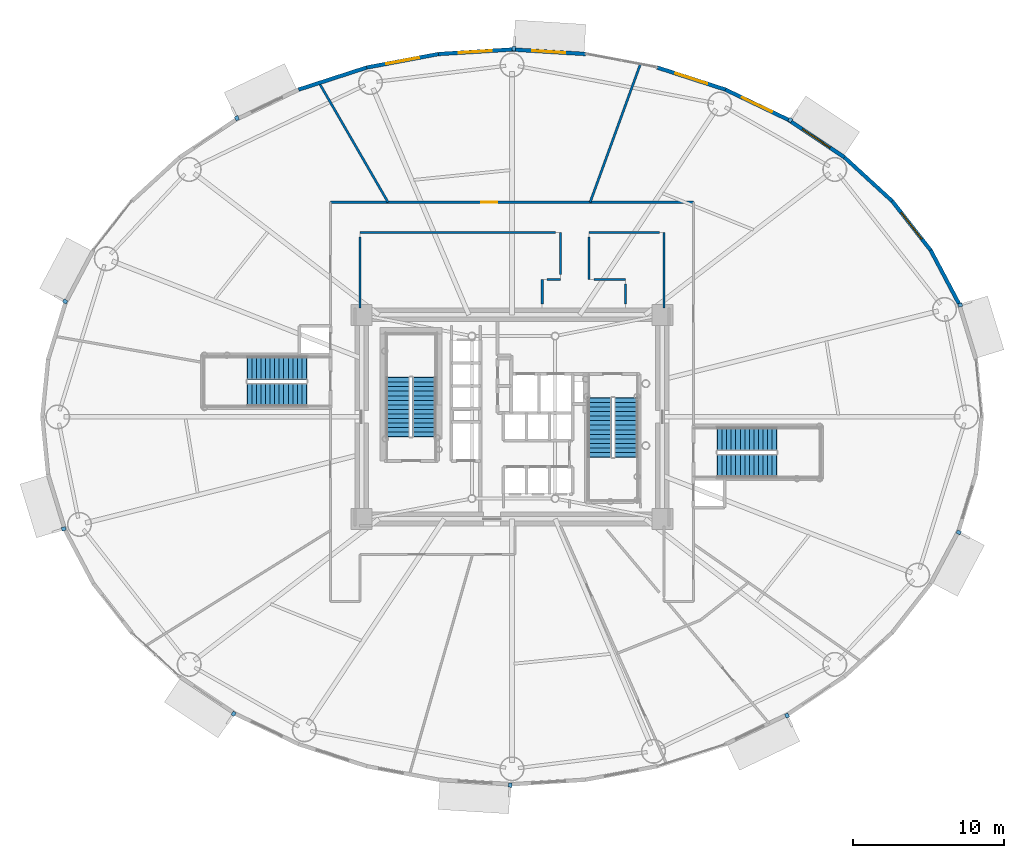
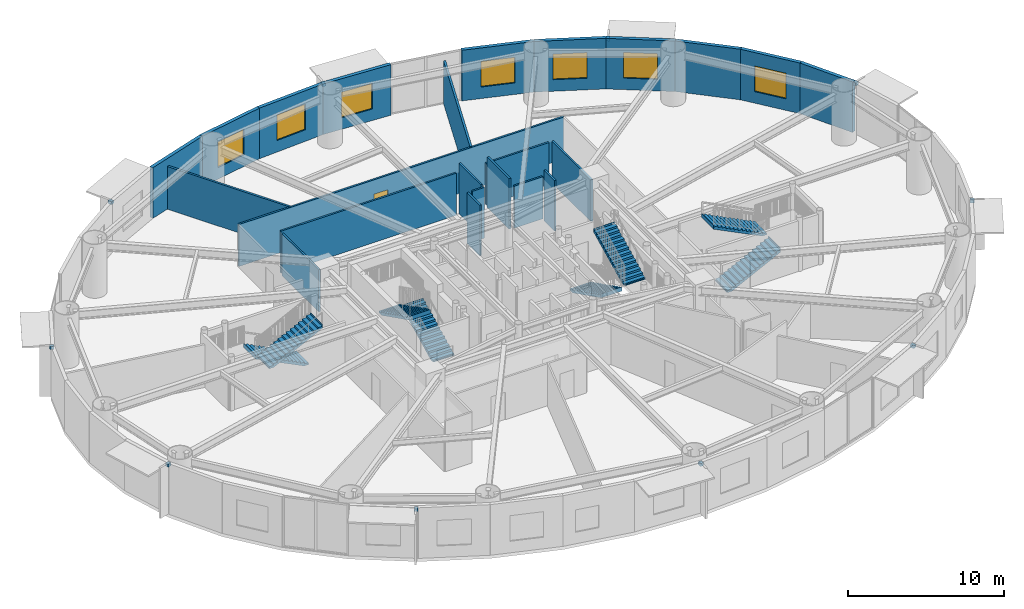
# One storey, part 16 of 28: 23 walls, 10 discrete accessories, 8 stair flights, 7 windows, 1 door, 8 openings, 4 elements without a shape of their own.
"""IFC4 building model written with IfcOpenShell, lengths in metres."""

import ifcopenshell
import ifcopenshell.guid

model = None  # the IFC model being written
_history = None  # IfcOwnerHistory: only IFC2X3 demands one
_inside = {}  # id of a spatial element -> (the spatial element, [elements in it])
_under = {}  # id of a project, library or spatial element -> (it, [spatial elements below it])
_declared = {}  # id of a project -> (the project, [libraries it declares])
_typed = {}  # id of a type object -> (the type object, [elements of that type])
_made_of = {}  # id of a material, layer set ... -> (it, [elements and type objects made of it])


def new_model(schema):
    """Start an empty IFC model of exactly this schema.

    Asked for "IFC4X3", IfcOpenShell would pick the latest addendum, in which some entities
    have other attributes; the version numbers below select the first issue.
    IFC2X3 requires an IfcOwnerHistory on every rooted entity: one is made here for all.
    """
    global model, _history
    if schema == "IFC4X3":
        model = ifcopenshell.file(schema_version=(4, 3, 0, 0))
    else:
        model = ifcopenshell.file(schema=schema)
    _inside.clear()
    _under.clear()
    _declared.clear()
    _typed.clear()
    _made_of.clear()
    _history = None
    if model.schema == "IFC2X3":
        org = make("IfcOrganization", Name="unknown")
        user = make(
            "IfcPersonAndOrganization",
            ThePerson=make("IfcPerson", FamilyName="unknown"),
            TheOrganization=org,
        )
        app = make(
            "IfcApplication",
            ApplicationDeveloper=org,
            Version="unknown",
            ApplicationFullName="unknown",
            ApplicationIdentifier="unknown",
        )
        _history = make(
            "IfcOwnerHistory",
            OwningUser=user,
            OwningApplication=app,
            ChangeAction="ADDED",
            CreationDate=0,
        )
    return model


def make(cls, **values):
    """One entity of the class cls with the attributes given. An attribute that is None is left unset."""
    return model.create_entity(
        cls, **{name: value for name, value in values.items() if value is not None}
    )


def rooted(cls, **values):
    """An entity with a GlobalId (a new one), such as an element, a storey or a relation."""
    return make(cls, GlobalId=ifcopenshell.guid.new(), OwnerHistory=_history, **values)


def si_unit(unit_type, name, prefix=None):
    """IfcSIUnit, for example si_unit("LENGTHUNIT", "METRE", prefix="MILLI")."""
    return make("IfcSIUnit", UnitType=unit_type, Prefix=prefix, Name=name)


def assignment(units):
    """IfcUnitAssignment: the units of a project."""
    return None if units is None else make("IfcUnitAssignment", Units=units)


def point(xyz):
    """IfcCartesianPoint."""
    return None if xyz is None else make("IfcCartesianPoint", Coordinates=xyz)


def direction(xyz):
    """IfcDirection."""
    return None if xyz is None else make("IfcDirection", DirectionRatios=xyz)


def frame(location, z_axis=None, x_axis=None):
    """IfcAxis2Placement3D, a coordinate frame: its origin and axes. An axis left out is left unset."""
    return make(
        "IfcAxis2Placement3D",
        Location=point(location),
        Axis=direction(z_axis),
        RefDirection=direction(x_axis),
    )


def frame_2d(location, x_axis=None):
    """IfcAxis2Placement2D, a coordinate frame in the plane: its origin and x axis."""
    return make(
        "IfcAxis2Placement2D", Location=point(location), RefDirection=direction(x_axis)
    )


def origin():
    """The frame at (0, 0, 0) with its axes left unset."""
    return frame((0.0, 0.0, 0.0))


def origin_2d():
    """The frame at (0, 0) in the plane with its x axis left unset."""
    return frame_2d((0.0, 0.0))


def place(relative_to, where):
    """IfcLocalPlacement: puts the frame where relative to a parent placement (None: the world)."""
    return make(
        "IfcLocalPlacement", PlacementRelTo=relative_to, RelativePlacement=where
    )


def context(
    kind, dimensions, precision=None, world=None, true_north=None, identifier=None
):
    """IfcGeometricRepresentationContext, for example the 3D "Model" context."""
    return make(
        "IfcGeometricRepresentationContext",
        ContextIdentifier=identifier,
        ContextType=kind,
        CoordinateSpaceDimension=dimensions,
        Precision=precision,
        WorldCoordinateSystem=world,
        TrueNorth=true_north,
    )


def subcontext(parent, identifier, kind, view, scale=None):
    """IfcGeometricRepresentationSubContext, for example "Body" below "Model"."""
    return make(
        "IfcGeometricRepresentationSubContext",
        ContextIdentifier=identifier,
        ContextType=kind,
        ParentContext=parent,
        TargetScale=scale,
        TargetView=view,
    )


def project(units=None, contexts=None):
    """IfcProject with its units and contexts."""
    return rooted(
        "IfcProject",
        Name="project",
        RepresentationContexts=contexts,
        UnitsInContext=assignment(units),
    )


def spatial(cls, under=None, at=None, **own):
    """A site, building, storey or space (cls), placed at a placement, below another one or the project."""
    s = rooted(cls, ObjectPlacement=at, **own)
    if under is not None:
        _under.setdefault(under.id(), (under, []))[1].append(s)
    return s


def polyline(points):
    """IfcPolyline through the points."""
    return make("IfcPolyline", Points=[point(p) for p in points])


def profile(cls, at=None, kind="AREA", **sizes):
    """A parametric profile (cls). Its sizes go by their IFC names, for example OverallWidth=200.0."""
    return make(cls, ProfileType=kind, Position=at, **sizes)


def rectangle(**sizes):
    """IfcRectangleProfileDef."""
    return profile("IfcRectangleProfileDef", **sizes)


def outline(outer, holes=None, kind="AREA"):
    """IfcArbitraryClosedProfileDef: a profile drawn as a closed curve; with holes, ...WithVoids."""
    if holes is None:
        return make("IfcArbitraryClosedProfileDef", ProfileType=kind, OuterCurve=outer)
    return make(
        "IfcArbitraryProfileDefWithVoids",
        ProfileType=kind,
        OuterCurve=outer,
        InnerCurves=holes,
    )


def extrude(swept, where, along, depth):
    """IfcExtrudedAreaSolid: the profile swept, set in the frame where, extruded along a direction by depth."""
    return make(
        "IfcExtrudedAreaSolid",
        SweptArea=swept,
        Position=where,
        ExtrudedDirection=direction(along),
        Depth=depth,
    )


def shape(context_of_items, identifier, shape_type, items):
    """IfcShapeRepresentation: the items that make up one representation, for example the "Body"."""
    return make(
        "IfcShapeRepresentation",
        ContextOfItems=context_of_items,
        RepresentationIdentifier=identifier,
        RepresentationType=shape_type,
        Items=items,
    )


def source(mapping_origin, context_of_items, identifier, shape_type, items):
    """IfcRepresentationMap: a shape defined once, which mapped items show again and again."""
    return make(
        "IfcRepresentationMap",
        MappingOrigin=mapping_origin,
        MappedRepresentation=shape(context_of_items, identifier, shape_type, items),
    )


def transform(
    local_origin,
    x_axis=None,
    y_axis=None,
    z_axis=None,
    scale=None,
    scale2=None,
    scale3=None,
    uniform=True,
):
    """IfcCartesianTransformationOperator3D, or its non-uniform kind. x_axis, y_axis, z_axis: its Axis1, 2, 3."""
    if uniform:
        return make(
            "IfcCartesianTransformationOperator3D",
            Axis1=direction(x_axis),
            Axis2=direction(y_axis),
            LocalOrigin=point(local_origin),
            Scale=scale,
            Axis3=direction(z_axis),
        )
    return make(
        "IfcCartesianTransformationOperator3DnonUniform",
        Axis1=direction(x_axis),
        Axis2=direction(y_axis),
        LocalOrigin=point(local_origin),
        Scale=scale,
        Axis3=direction(z_axis),
        Scale2=scale2,
        Scale3=scale3,
    )


def mapped(mapping_source, mapping_target):
    """IfcMappedItem: shows the shape of a source again, moved by a transform."""
    return make(
        "IfcMappedItem", MappingSource=mapping_source, MappingTarget=mapping_target
    )


def material(Name=None, Category=None):
    """IfcMaterial."""
    return make("IfcMaterial", Name=Name, Category=Category)


def layer(
    of_material, thickness, ventilated=None, Name=None, Category=None, Priority=None
):
    """IfcMaterialLayer: one layer of a wall or slab, of a material (None: an air gap)."""
    return make(
        "IfcMaterialLayer",
        Material=of_material,
        LayerThickness=thickness,
        IsVentilated=ventilated,
        Name=Name,
        Category=Category,
        Priority=Priority,
    )


def layer_set(layers, Name=None):
    """IfcMaterialLayerSet."""
    return make("IfcMaterialLayerSet", MaterialLayers=layers, LayerSetName=Name)


def made_of(thing, what):
    """Note that an element or type object is made of a material, layer set ...; save() writes the relation."""
    if what is not None:
        _made_of.setdefault(what.id(), (what, []))[1].append(thing)
    return thing


def type_object(cls, material=None, **own):
    """A type object (cls), such as IfcWallType, which elements share."""
    return made_of(rooted(cls, **own), material)


def element(
    cls,
    number,
    at=None,
    inside=None,
    cuts=None,
    type_object=None,
    material=None,
    context=None,
    identifier="Body",
    shape_type=None,
    held_by="IfcProductDefinitionShape",
    body=None,
    shapes=None,
    **own,
):
    """One element of the class cls, such as IfcWall. Its Tag is "e" and its number.

    at: its placement. inside: the storey or other place that contains it. cuts: it is an
    opening in that element (IfcRelVoidsElement). A single representation is given by context,
    identifier, shape_type and body (its items); several are given by shapes. held_by: the class
    of the entity that holds the representations. save() writes the other relations.
    """
    e = rooted(cls, Tag="e%d" % number, ObjectPlacement=at, **own)
    if body is not None:
        shapes = [shape(context, identifier, shape_type, body)]
    if shapes is not None:
        e.Representation = make(held_by, Representations=shapes)
    if inside is not None:
        _inside.setdefault(inside.id(), (inside, []))[1].append(e)
    if cuts is not None:
        rooted(
            "IfcRelVoidsElement", RelatingBuildingElement=cuts, RelatedOpeningElement=e
        )
    if type_object is not None:
        _typed.setdefault(type_object.id(), (type_object, []))[1].append(e)
    return made_of(e, material)


def fill(opening, filler):
    """IfcRelFillsElement: the door or window that sits in an opening."""
    return rooted(
        "IfcRelFillsElement",
        RelatingOpeningElement=opening,
        RelatedBuildingElement=filler,
    )


def aggregate(whole, parts):
    """IfcRelAggregates: a whole, such as a stair, and the parts it consists of."""
    return rooted("IfcRelAggregates", RelatingObject=whole, RelatedObjects=parts)


def save(model, path):
    """Write the relations noted so far, then the file.

    IfcRelAggregates (storeys below a building ...), IfcRelContainedInSpatialStructure (elements
    in a storey), IfcRelDefinesByType, IfcRelAssociatesMaterial and IfcRelDeclares: one each for
    every whole, place, type object, material and project.
    """
    for whole, parts in _under.values():
        aggregate(whole, parts)
    for where, things in _inside.values():
        rooted(
            "IfcRelContainedInSpatialStructure",
            RelatedElements=things,
            RelatingStructure=where,
        )
    for kind, things in _typed.values():
        rooted("IfcRelDefinesByType", RelatedObjects=things, RelatingType=kind)
    for what, things in _made_of.values():
        rooted("IfcRelAssociatesMaterial", RelatedObjects=things, RelatingMaterial=what)
    for by, libraries in _declared.values():
        rooted("IfcRelDeclares", RelatingContext=by, RelatedDefinitions=libraries)
    model.write(path)


model = new_model("IFC4")

# Units and contexts
model_context = context("Model", 3, precision=1e-05, world=origin(), true_north=direction((0.0, 1.0)))
body_context = subcontext(model_context, "Body", "Model", "MODEL_VIEW")
ifc_project = project(units=[si_unit("LENGTHUNIT", "METRE"), si_unit("AREAUNIT", "SQUARE_METRE"), si_unit("VOLUMEUNIT", "CUBIC_METRE"), si_unit("PLANEANGLEUNIT", "RADIAN"), si_unit("MASSUNIT", "GRAM", prefix="KILO")], contexts=[model_context])

# Site, building, storey
site_placement = place(None, origin())
site = spatial("IfcSite", under=ifc_project, at=site_placement, CompositionType="ELEMENT")
building_placement = place(site_placement, origin())
building = spatial("IfcBuilding", under=site, at=building_placement, Name="Linh Dai School and Residence Tower", CompositionType="ELEMENT")
storey_placement = place(building_placement, frame((0.0, 0.0, 36.60009765625)))
storey = spatial("IfcBuildingStorey", under=building, at=storey_placement, Name="L08", CompositionType="ELEMENT", Elevation=36.60009765625)

# Wall
ifc_material_1 = material(Name="Precast Concrete B45 (C35/45)", Category="concrete")
ifc_layer_1 = layer(ifc_material_1, 0.25)
ifc_layer_set_1 = layer_set([ifc_layer_1], Name="Precast Concrete B45 (C35/45)")
wall_type_1 = type_object("IfcWallType", Name="EW-TC-250", PredefinedType="SOLIDWALL", material=ifc_layer_set_1)
wall_1_placement = place(storey_placement, frame((63.694580078125, 38.022705078125, 0.0), z_axis=(0.0, 0.0, 1.0), x_axis=(0.467662443071, -0.883907144072, 0.0)))
element("IfcWall", 1, at=wall_1_placement, inside=storey, type_object=wall_type_1, Name="L08 Terracotta Exterior Wall 03", PredefinedType="SOLIDWALL", context=body_context, shape_type="SweptSolid", body=[
    extrude(rectangle(XDim=3.983642578125, YDim=0.25, at=frame_2d((1.99169921875, 0.0))), origin(), (0.0, 0.0, 1.0), 3.949951171875),
])

# Wall, opening, window
wall_2_placement = place(storey_placement, frame((61.149658203125, 41.274658203125, 0.0), z_axis=(0.0, 0.0, 1.0), x_axis=(0.616295508253, -0.787514981767, 0.0)))
wall_2 = element("IfcWall", 2, at=wall_2_placement, inside=storey, type_object=wall_type_1, Name="L08 Terracotta Exterior Wall 04", PredefinedType="SOLIDWALL", context=body_context, shape_type="SweptSolid", body=[
    extrude(rectangle(XDim=4.12939453125, YDim=0.25, at=frame_2d((2.064697265625, 0.0))), origin(), (0.0, 0.0, 1.0), 3.949951171875),
])
opening_1_placement = place(wall_2_placement, frame((0.964599609375, 0.0, 0.89990234375)))
opening_1 = element("IfcOpeningElement", 3, at=opening_1_placement, cuts=wall_2, Name="Opening W4", PredefinedType="OPENING", context=body_context, shape_type="SweptSolid", body=[
    extrude(rectangle(XDim=2.199951171875, YDim=2.0, at=origin_2d()), frame((1.10009765625, 0.135009765625, 1.0), z_axis=(0.0, -1.0, 0.0), x_axis=(1.0, 0.0, 0.0)), (0.0, 0.0, 1.0), 0.27001953125),
])
ifc_material_2 = material(Name="Acoustic Laminated Low-E Glazing", Category="glass")
window_type = type_object("IfcWindowType", Name="WN-SCH-2200x2000", PartitioningType="TRIPLE_PANEL_VERTICAL", PredefinedType="WINDOW", material=ifc_material_2)
shared_shape_1 = source(origin(), body_context, "Body", "SweptSolid", [
    extrude(rectangle(XDim=2.199951171875, YDim=2.0, at=origin_2d()), frame((1.10009765625, 0.030029296875, 1.0), z_axis=(0.0, -1.0, 0.0), x_axis=(1.0, 0.0, 0.0)), (0.0, 0.0, 1.0), 0.06005859375),
])
window_1_placement = place(opening_1_placement, origin())
window_1 = element("IfcWindow", 4, at=window_1_placement, inside=storey, type_object=window_type, Name="L08 Exterior Window 04.1", OverallHeight=2.0, OverallWidth=2.199951171875, PartitioningType="TRIPLE_PANEL_VERTICAL", PredefinedType="WINDOW", context=body_context, shape_type="MappedRepresentation", body=[
    mapped(shared_shape_1, transform((0.0, 0.0, 0.0), x_axis=(1.0, 0.0, 0.0), y_axis=(0.0, 1.0, 0.0), z_axis=(0.0, 0.0, 1.0), scale=1.0)),
])
fill(opening_1, window_1)

# Wall
wall_3_placement = place(storey_placement, frame((57.984619140625, 44.17626953125, 0.0), z_axis=(0.0, 0.0, 1.0), x_axis=(0.737116376281, -0.67576582321, 0.0)))
element("IfcWall", 5, at=wall_3_placement, inside=storey, type_object=wall_type_1, Name="L08 Terracotta Exterior Wall 05", PredefinedType="SOLIDWALL", context=body_context, shape_type="SweptSolid", body=[
    extrude(rectangle(XDim=4.293701171875, YDim=0.25, at=frame_2d((2.14697265625, 0.0))), origin(), (0.0, 0.0, 1.0), 3.949951171875),
])

# Wall, opening, window
wall_4_placement = place(storey_placement, frame((54.277099609375, 46.65576171875, 0.0), z_axis=(0.0, 0.0, 1.0), x_axis=(0.831240982525, -0.555912249343, 0.0)))
wall_4 = element("IfcWall", 6, at=wall_4_placement, inside=storey, type_object=wall_type_1, Name="L08 Terracotta Exterior Wall 06", PredefinedType="SOLIDWALL", context=body_context, shape_type="SweptSolid", body=[
    extrude(rectangle(XDim=4.460205078125, YDim=0.25, at=frame_2d((2.22998046875, 0.0))), origin(), (0.0, 0.0, 1.0), 3.949951171875),
])
opening_2_placement = place(wall_4_placement, frame((1.1298828125, 0.0, 0.89990234375)))
opening_2 = element("IfcOpeningElement", 7, at=opening_2_placement, cuts=wall_4, Name="Opening W4", PredefinedType="OPENING", context=body_context, shape_type="SweptSolid", body=[
    extrude(rectangle(XDim=2.199951171875, YDim=2.0, at=origin_2d()), frame((1.10009765625, 0.135009765625, 1.0), z_axis=(0.0, -1.0, 0.0), x_axis=(1.0, 0.0, 0.0)), (0.0, 0.0, 1.0), 0.27001953125),
])
window_2_placement = place(opening_2_placement, origin())
window_2 = element("IfcWindow", 8, at=window_2_placement, inside=storey, type_object=window_type, Name="L08 Exterior Window 06.1", OverallHeight=2.0, OverallWidth=2.199951171875, PartitioningType="TRIPLE_PANEL_VERTICAL", PredefinedType="WINDOW", context=body_context, shape_type="MappedRepresentation", body=[
    mapped(shared_shape_1, transform((0.0, 0.0, 0.0), x_axis=(1.0, 0.0, 0.0), y_axis=(0.0, 1.0, 0.0), z_axis=(0.0, 0.0, 1.0), scale=1.0)),
])
fill(opening_2, window_2)

wall_5_placement = place(storey_placement, frame((50.1181640625, 48.651123046875, 0.0), z_axis=(0.0, 0.0, 1.0), x_axis=(0.901601503137, -0.432567601123, 0.0)))
wall_5 = element("IfcWall", 9, at=wall_5_placement, inside=storey, type_object=wall_type_1, Name="L08 Terracotta Exterior Wall 07", PredefinedType="SOLIDWALL", context=body_context, shape_type="SweptSolid", body=[
    extrude(rectangle(XDim=4.61279296875, YDim=0.25, at=frame_2d((2.306396484375, 0.0))), origin(), (0.0, 0.0, 1.0), 3.949951171875),
])
opening_3_placement = place(wall_5_placement, frame((1.206298828125, 0.0, 0.89990234375)))
opening_3 = element("IfcOpeningElement", 10, at=opening_3_placement, cuts=wall_5, Name="Opening W4", PredefinedType="OPENING", context=body_context, shape_type="SweptSolid", body=[
    extrude(rectangle(XDim=2.199951171875, YDim=2.0, at=origin_2d()), frame((1.10009765625, 0.135009765625, 1.0), z_axis=(0.0, -1.0, 0.0), x_axis=(1.0, 0.0, 0.0)), (0.0, 0.0, 1.0), 0.27001953125),
])
window_3_placement = place(opening_3_placement, origin())
window_3 = element("IfcWindow", 11, at=window_3_placement, inside=storey, type_object=window_type, Name="L08 Exterior Window 07.1", OverallHeight=2.0, OverallWidth=2.199951171875, PartitioningType="TRIPLE_PANEL_VERTICAL", PredefinedType="WINDOW", context=body_context, shape_type="MappedRepresentation", body=[
    mapped(shared_shape_1, transform((0.0, 0.0, 0.0), x_axis=(1.0, 0.0, 0.0), y_axis=(0.0, 1.0, 0.0), z_axis=(0.0, 0.0, 1.0), scale=1.0)),
])
fill(opening_3, window_3)

wall_6_placement = place(storey_placement, frame((45.610595703125, 50.11328125, 0.0), z_axis=(0.0, 0.0, 1.0), x_axis=(0.951207699013, -0.308551313946, 0.0)))
wall_6 = element("IfcWall", 12, at=wall_6_placement, inside=storey, type_object=wall_type_1, Name="L08 Terracotta Exterior Wall 08", PredefinedType="SOLIDWALL", context=body_context, shape_type="SweptSolid", body=[
    extrude(rectangle(XDim=4.73876953125, YDim=0.25, at=frame_2d((2.369384765625, 0.0))), origin(), (0.0, 0.0, 1.0), 3.949951171875),
])
opening_4_placement = place(wall_6_placement, frame((1.269287109375, 0.0, 0.89990234375)))
opening_4 = element("IfcOpeningElement", 13, at=opening_4_placement, cuts=wall_6, Name="Opening W4", PredefinedType="OPENING", context=body_context, shape_type="SweptSolid", body=[
    extrude(rectangle(XDim=2.199951171875, YDim=2.0, at=origin_2d()), frame((1.10009765625, 0.135009765625, 1.0), z_axis=(0.0, -1.0, 0.0), x_axis=(1.0, 0.0, 0.0)), (0.0, 0.0, 1.0), 0.27001953125),
])
window_4_placement = place(opening_4_placement, origin())
window_4 = element("IfcWindow", 14, at=window_4_placement, inside=storey, type_object=window_type, Name="L08 Exterior Window 08.1", OverallHeight=2.0, OverallWidth=2.199951171875, PartitioningType="TRIPLE_PANEL_VERTICAL", PredefinedType="WINDOW", context=body_context, shape_type="MappedRepresentation", body=[
    mapped(shared_shape_1, transform((0.0, 0.0, 0.0), x_axis=(1.0, 0.0, 0.0), y_axis=(0.0, 1.0, 0.0), z_axis=(0.0, 0.0, 1.0), scale=1.0)),
])
fill(opening_4, window_4)

wall_7_placement = place(storey_placement, frame((36.0, 51.304931640625, 0.0), z_axis=(0.0, 0.0, 1.0), x_axis=(0.998106954071, -0.061502099433, 0.0)))
wall_7 = element("IfcWall", 15, at=wall_7_placement, inside=storey, type_object=wall_type_1, Name="L08 Terracotta Exterior Wall 10", PredefinedType="SOLIDWALL", context=body_context, shape_type="SweptSolid", body=[
    extrude(rectangle(XDim=4.874755859375, YDim=0.25, at=frame_2d((2.4375, 0.0))), origin(), (0.0, 0.0, 1.0), 3.949951171875),
])
opening_5_placement = place(wall_7_placement, frame((1.33740234375, 0.0, 0.89990234375)))
opening_5 = element("IfcOpeningElement", 16, at=opening_5_placement, cuts=wall_7, Name="Opening W4", PredefinedType="OPENING", context=body_context, shape_type="SweptSolid", body=[
    extrude(rectangle(XDim=2.199951171875, YDim=2.0, at=origin_2d()), frame((1.10009765625, 0.135009765625, 1.0), z_axis=(0.0, -1.0, 0.0), x_axis=(1.0, 0.0, 0.0)), (0.0, 0.0, 1.0), 0.27001953125),
])
window_5_placement = place(opening_5_placement, origin())
window_5 = element("IfcWindow", 17, at=window_5_placement, inside=storey, type_object=window_type, Name="L08 Exterior Window 10.1", OverallHeight=2.0, OverallWidth=2.199951171875, PartitioningType="TRIPLE_PANEL_VERTICAL", PredefinedType="WINDOW", context=body_context, shape_type="MappedRepresentation", body=[
    mapped(shared_shape_1, transform((0.0, 0.0, 0.0), x_axis=(1.0, 0.0, 0.0), y_axis=(0.0, 1.0, 0.0), z_axis=(0.0, 0.0, 1.0), scale=1.0)),
])
fill(opening_5, window_5)

wall_8_placement = place(storey_placement, frame((31.134521484375, 51.005126953125, 0.0), z_axis=(0.0, 0.0, 1.0), x_axis=(0.998106954071, 0.061502099433, 0.0)))
wall_8 = element("IfcWall", 18, at=wall_8_placement, inside=storey, type_object=wall_type_1, Name="L08 Terracotta Exterior Wall 11", PredefinedType="SOLIDWALL", context=body_context, shape_type="SweptSolid", body=[
    extrude(rectangle(XDim=4.874755859375, YDim=0.25, at=frame_2d((2.4375, 0.0))), origin(), (0.0, 0.0, 1.0), 3.949951171875),
])
opening_6_placement = place(wall_8_placement, frame((1.33740234375, 0.0, 0.89990234375)))
opening_6 = element("IfcOpeningElement", 19, at=opening_6_placement, cuts=wall_8, Name="Opening W4", PredefinedType="OPENING", context=body_context, shape_type="SweptSolid", body=[
    extrude(rectangle(XDim=2.199951171875, YDim=2.0, at=origin_2d()), frame((1.10009765625, 0.135009765625, 1.0), z_axis=(0.0, -1.0, 0.0), x_axis=(1.0, 0.0, 0.0)), (0.0, 0.0, 1.0), 0.27001953125),
])
window_6_placement = place(opening_6_placement, origin())
window_6 = element("IfcWindow", 20, at=window_6_placement, inside=storey, type_object=window_type, Name="L08 Exterior Window 11.1", OverallHeight=2.0, OverallWidth=2.199951171875, PartitioningType="TRIPLE_PANEL_VERTICAL", PredefinedType="WINDOW", context=body_context, shape_type="MappedRepresentation", body=[
    mapped(shared_shape_1, transform((0.0, 0.0, 0.0), x_axis=(1.0, 0.0, 0.0), y_axis=(0.0, 1.0, 0.0), z_axis=(0.0, 0.0, 1.0), scale=1.0)),
])
fill(opening_6, window_6)

wall_9_placement = place(storey_placement, frame((26.389404296875, 50.11328125, 0.0), z_axis=(0.0, 0.0, 1.0), x_axis=(0.982791952378, 0.184715939598, 0.0)))
wall_9 = element("IfcWall", 21, at=wall_9_placement, inside=storey, type_object=wall_type_1, Name="L08 Terracotta Exterior Wall 12", PredefinedType="SOLIDWALL", context=body_context, shape_type="SweptSolid", body=[
    extrude(rectangle(XDim=4.828125, YDim=0.25, at=frame_2d((2.4140625, 0.0))), origin(), (0.0, 0.0, 1.0), 3.949951171875),
])
opening_7_placement = place(wall_9_placement, frame((1.314208984375, 0.0, 0.89990234375)))
opening_7 = element("IfcOpeningElement", 22, at=opening_7_placement, cuts=wall_9, Name="Opening W4", PredefinedType="OPENING", context=body_context, shape_type="SweptSolid", body=[
    extrude(rectangle(XDim=2.199951171875, YDim=2.0, at=origin_2d()), frame((1.10009765625, 0.135009765625, 1.0), z_axis=(0.0, -1.0, 0.0), x_axis=(1.0, 0.0, 0.0)), (0.0, 0.0, 1.0), 0.27001953125),
])
window_7_placement = place(opening_7_placement, origin())
window_7 = element("IfcWindow", 23, at=window_7_placement, inside=storey, type_object=window_type, Name="L08 Exterior Window 12.1", OverallHeight=2.0, OverallWidth=2.199951171875, PartitioningType="TRIPLE_PANEL_VERTICAL", PredefinedType="WINDOW", context=body_context, shape_type="MappedRepresentation", body=[
    mapped(shared_shape_1, transform((0.0, 0.0, 0.0), x_axis=(1.0, 0.0, 0.0), y_axis=(0.0, 1.0, 0.0), z_axis=(0.0, 0.0, 1.0), scale=1.0)),
])
fill(opening_7, window_7)

# Wall
wall_10_placement = place(storey_placement, frame((21.8818359375, 48.651123046875, 0.0), z_axis=(0.0, 0.0, 1.0), x_axis=(0.951207699013, 0.308551313946, 0.0)))
element("IfcWall", 24, at=wall_10_placement, inside=storey, type_object=wall_type_1, Name="L08 Terracotta Exterior Wall 13", PredefinedType="SOLIDWALL", context=body_context, shape_type="SweptSolid", body=[
    extrude(rectangle(XDim=4.73876953125, YDim=0.25, at=frame_2d((2.369384765625, 0.0))), origin(), (0.0, 0.0, 1.0), 3.949951171875),
])

# Wall, opening, door
ifc_material_3 = material(Name="Autoclaved Aerated Concrete Blockwork", Category="masonry")
ifc_layer_2 = layer(ifc_material_3, 0.135009765625)
ifc_layer_set_2 = layer_set([ifc_layer_2], Name="Autoclaved Aerated Concrete Blockwork")
wall_type_2 = type_object("IfcWallType", Name="IW-CORR-135-EI90", PredefinedType="PARTITIONING", material=ifc_layer_set_2)
wall_11_placement = place(storey_placement, frame((24.0, 41.199951171875, 0.0), z_axis=(0.0, 0.0, 1.0), x_axis=(1.0, 0.0, 0.0)))
wall_11 = element("IfcWall", 25, at=wall_11_placement, inside=storey, type_object=wall_type_2, Name="L08 Interior Partition Wall 013", PredefinedType="PARTITIONING", context=body_context, shape_type="SweptSolid", body=[
    extrude(rectangle(XDim=24.0, YDim=0.135009765625, at=frame_2d((12.0, 0.0))), origin(), (0.0, 0.0, 1.0), 3.284912109375),
])
opening_8_placement = place(wall_11_placement, frame((9.9599609375, 0.0, 0.0)))
opening_8 = element("IfcOpeningElement", 26, at=opening_8_placement, cuts=wall_11, Name="Opening D04", PredefinedType="OPENING", context=body_context, shape_type="SweptSolid", body=[
    extrude(rectangle(XDim=1.050048828125, YDim=2.14990234375, at=origin_2d()), frame((0.52490234375, 0.07763671875, 1.074951171875), z_axis=(0.0, -1.0, 0.0), x_axis=(1.0, 0.0, 0.0)), (0.0, 0.0, 1.0), 0.155029296875),
])
ifc_material_4 = material(Name="Acoustic Vision-Panel Timber Classroom Door", Category="wood")
door_type = type_object("IfcDoorType", Name="DR-SCH-1050x2150-FD60S", OperationType="NOTDEFINED", PredefinedType="DOOR", material=ifc_material_4)
shared_shape_2 = source(origin(), body_context, "Body", "SweptSolid", [
    extrude(rectangle(XDim=1.050048828125, YDim=2.14990234375, at=origin_2d()), frame((0.52490234375, 0.02490234375, 1.074951171875), z_axis=(0.0, -1.0, 0.0), x_axis=(1.0, 0.0, 0.0)), (0.0, 0.0, 1.0), 0.050048828125),
])
door_placement = place(opening_8_placement, origin())
door = element("IfcDoor", 27, at=door_placement, inside=storey, type_object=door_type, Name="L08 Chemistry Wet Laboratory Door", OperationType="SINGLE_SWING_LEFT", OverallHeight=2.14990234375, OverallWidth=1.050048828125, PredefinedType="DOOR", context=body_context, shape_type="MappedRepresentation", body=[
    mapped(shared_shape_2, transform((0.0, 0.0, 0.0), x_axis=(1.0, 0.0, 0.0), y_axis=(0.0, 1.0, 0.0), z_axis=(0.0, 0.0, 1.0), scale=1.0)),
])
fill(opening_8, door)

# Walls
wall_12_placement = place(storey_placement, frame((46.050048828125, 34.199951171875, 0.0), z_axis=(0.0, 0.0, 1.0), x_axis=(0.0, 1.0, 0.0)))
element("IfcWall", 28, at=wall_12_placement, inside=storey, type_object=wall_type_2, Name="L08 Interior Partition Wall 081", PredefinedType="PARTITIONING", context=body_context, shape_type="SweptSolid", body=[
    extrude(rectangle(XDim=5.0, YDim=0.135009765625, at=frame_2d((2.5, 0.0))), origin(), (0.0, 0.0, 1.0), 3.284912109375),
])
wall_13_placement = place(storey_placement, frame((45.742431640625, 39.199951171875, 0.0), z_axis=(0.0, 0.0, 1.0), x_axis=(-1.0, 0.0, 0.0)))
element("IfcWall", 29, at=wall_13_placement, inside=storey, type_object=wall_type_2, Name="L08 Interior Partition Wall 082", PredefinedType="PARTITIONING", context=body_context, shape_type="SweptSolid", body=[
    extrude(rectangle(XDim=4.642333984375, YDim=0.135009765625, at=frame_2d((2.3212890625, 0.0))), origin(), (0.0, 0.0, 1.0), 3.284912109375),
])
wall_14_placement = place(storey_placement, frame((41.10009765625, 38.892578125, 0.0), z_axis=(0.0, 0.0, 1.0), x_axis=(0.0, -1.0, 0.0)))
element("IfcWall", 30, at=wall_14_placement, inside=storey, type_object=wall_type_2, Name="L08 Interior Partition Wall 083", PredefinedType="PARTITIONING", context=body_context, shape_type="SweptSolid", body=[
    extrude(rectangle(XDim=2.79248046875, YDim=0.135009765625, at=frame_2d((1.396240234375, 0.0))), origin(), (0.0, 0.0, 1.0), 3.949951171875),
])
wall_15_placement = place(storey_placement, frame((41.407470703125, 36.10009765625, 0.0), z_axis=(0.0, 0.0, 1.0), x_axis=(1.0, 0.0, 0.0)))
element("IfcWall", 31, at=wall_15_placement, inside=storey, type_object=wall_type_2, Name="L08 Interior Partition Wall 084", PredefinedType="PARTITIONING", context=body_context, shape_type="SweptSolid", body=[
    extrude(rectangle(XDim=2.092529296875, YDim=0.135009765625, at=frame_2d((1.04638671875, 0.0))), origin(), (0.0, 0.0, 1.0), 3.284912109375),
])
wall_16_placement = place(storey_placement, frame((43.5, 35.79248046875, 0.0), z_axis=(0.0, 0.0, 1.0), x_axis=(0.0, -1.0, 0.0)))
element("IfcWall", 32, at=wall_16_placement, inside=storey, type_object=wall_type_2, Name="L08 Interior Partition Wall 085", PredefinedType="PARTITIONING", context=body_context, shape_type="SweptSolid", body=[
    extrude(rectangle(XDim=1.33251953125, YDim=0.135009765625, at=frame_2d((0.666259765625, 0.0))), origin(), (0.0, 0.0, 1.0), 3.949951171875),
])
wall_17_placement = place(storey_placement, frame((38.0, 34.4599609375, 0.0), z_axis=(0.0, 0.0, 1.0), x_axis=(0.0, 1.0, 0.0)))
element("IfcWall", 33, at=wall_17_placement, inside=storey, type_object=wall_type_2, Name="L08 Interior Partition Wall 086", PredefinedType="PARTITIONING", context=body_context, shape_type="SweptSolid", body=[
    extrude(rectangle(XDim=1.64013671875, YDim=0.135009765625, at=frame_2d((0.820068359375, 0.0))), origin(), (0.0, 0.0, 1.0), 3.949951171875),
])
wall_18_placement = place(storey_placement, frame((38.3076171875, 36.10009765625, 0.0), z_axis=(0.0, 0.0, 1.0), x_axis=(1.0, 0.0, 0.0)))
element("IfcWall", 34, at=wall_18_placement, inside=storey, type_object=wall_type_2, Name="L08 Interior Partition Wall 087", PredefinedType="PARTITIONING", context=body_context, shape_type="SweptSolid", body=[
    extrude(rectangle(XDim=0.892333984375, YDim=0.135009765625, at=frame_2d((0.4462890625, 0.0))), origin(), (0.0, 0.0, 1.0), 3.949951171875),
])
wall_19_placement = place(storey_placement, frame((39.199951171875, 36.407470703125, 0.0), z_axis=(0.0, 0.0, 1.0), x_axis=(0.0, 1.0, 0.0)))
element("IfcWall", 35, at=wall_19_placement, inside=storey, type_object=wall_type_2, Name="L08 Interior Partition Wall 088", PredefinedType="PARTITIONING", context=body_context, shape_type="SweptSolid", body=[
    extrude(rectangle(XDim=2.79248046875, YDim=0.135009765625, at=frame_2d((1.396240234375, 0.0))), origin(), (0.0, 0.0, 1.0), 3.949951171875),
])
wall_20_placement = place(storey_placement, frame((38.892578125, 39.199951171875, 0.0), z_axis=(0.0, 0.0, 1.0), x_axis=(-1.0, 0.0, 0.0)))
element("IfcWall", 36, at=wall_20_placement, inside=storey, type_object=wall_type_2, Name="L08 Interior Partition Wall 089", PredefinedType="PARTITIONING", context=body_context, shape_type="SweptSolid", body=[
    extrude(rectangle(XDim=12.942626953125, YDim=0.135009765625, at=frame_2d((6.47119140625, 0.0))), origin(), (0.0, 0.0, 1.0), 3.284912109375),
])
wall_21_placement = place(storey_placement, frame((25.949951171875, 38.892578125, 0.0), z_axis=(0.0, 0.0, 1.0), x_axis=(0.0, -1.0, 0.0)))
element("IfcWall", 37, at=wall_21_placement, inside=storey, type_object=wall_type_2, Name="L08 Interior Partition Wall 090", PredefinedType="PARTITIONING", context=body_context, shape_type="SweptSolid", body=[
    extrude(rectangle(XDim=4.692626953125, YDim=0.135009765625, at=frame_2d((2.34619140625, 0.0))), origin(), (0.0, 0.0, 1.0), 3.284912109375),
])
ifc_layer_3 = layer(ifc_material_3, 0.14990234375)
ifc_layer_set_3 = layer_set([ifc_layer_3], Name="Autoclaved Aerated Concrete Blockwork")
wall_type_3 = type_object("IfcWallType", Name="IW-SCH-150-EI60", PredefinedType="PARTITIONING", material=ifc_layer_set_3)
wall_22_placement = place(storey_placement, frame((23.241943359375, 49.09765625, 0.0), z_axis=(0.0, 0.0, 1.0), x_axis=(0.499985867395, -0.866033563094, 0.0)))
element("IfcWall", 38, at=wall_22_placement, inside=storey, type_object=wall_type_3, Name="L08 Interior Partition Wall 008", PredefinedType="PARTITIONING", context=body_context, shape_type="SweptSolid", body=[
    extrude(rectangle(XDim=9.119384765625, YDim=0.14990234375, at=frame_2d((4.5595703125, 0.0))), origin(), (0.0, 0.0, 1.0), 3.3349609375),
])
wall_23_placement = place(storey_placement, frame((41.16845703125, 41.199951171875, 0.0), z_axis=(0.0, 0.0, 1.0), x_axis=(0.342015460213, 0.939694325286, 0.0)))
element("IfcWall", 39, at=wall_23_placement, inside=storey, type_object=wall_type_3, Name="L08 Interior Partition Wall 052", PredefinedType="PARTITIONING", context=body_context, shape_type="SweptSolid", body=[
    extrude(rectangle(XDim=9.714599609375, YDim=0.14990234375, at=frame_2d((4.857421875, 0.0))), origin(), (0.0, 0.0, 1.0), 3.3349609375),
])

# Stair, stair flights
ifc_material_5 = material(Name="Concrete B45 (C35/45)", Category="concrete")
stair_type = type_object("IfcStairType", Name="ST-DOG-1550-R1500", PredefinedType="HALF_TURN_STAIR", material=ifc_material_5)
stair_1_placement = place(storey_placement, origin())
stair_1 = element("IfcStair", 40, at=stair_1_placement, inside=storey, type_object=stair_type, Name="L08 Core Smokeproof Exit Stair ST1", PredefinedType="HALF_TURN_STAIR")
stair_flight_type = type_object("IfcStairFlightType", Name="STF-STR-1550-R1500", PredefinedType="STRAIGHT", material=ifc_material_5)
shared_shape_3 = source(origin(), body_context, "Body", "SweptSolid", [
    extrude(outline(polyline([(-0.02490234375, 0.0), (-0.02490234375, 0.06005859375), (0.0, 0.06005859375), (0.0, 0.14990234375), (0.300048828125, 0.14990234375), (0.300048828125, 0.300048828125), (0.60009765625, 0.300048828125), (0.60009765625, 0.449951171875), (0.89990234375, 0.449951171875), (0.89990234375, 0.60009765625), (1.199951171875, 0.60009765625), (1.199951171875, 0.75), (1.5, 0.75), (1.5, 0.89990234375), (1.800048828125, 0.89990234375), (1.800048828125, 1.050048828125), (2.10009765625, 1.050048828125), (2.10009765625, 1.199951171875), (2.39990234375, 1.199951171875), (2.39990234375, 1.35009765625), (2.699951171875, 1.35009765625), (2.699951171875, 1.5), (3.0, 1.5), (3.0, 1.64990234375), (3.300048828125, 1.64990234375), (3.300048828125, 1.800048828125), (3.60009765625, 1.800048828125), (3.60009765625, 1.949951171875), (3.89990234375, 1.949951171875), (3.89990234375, 2.10009765625), (3.925048828125, 2.10009765625), (3.925048828125, 1.782470703125), (3.89990234375, 1.782470703125), (0.335205078125, 0.0), (-0.02490234375, 0.0)])), frame((0.0, 0.77490234375, 0.0), z_axis=(0.0, -1.0, 0.0), x_axis=(1.0, 0.0, 0.0)), (0.0, 0.0, 1.0), 1.550048828125),
])
stair_flight_1_placement = place(storey_placement, frame((30.205078125, 25.699951171875, 0.0), z_axis=(0.0, 0.0, 1.0), x_axis=(0.0, 1.0, 0.0)))
stair_flight_1 = element("IfcStairFlight", 41, at=stair_flight_1_placement, type_object=stair_flight_type, Name="ST1 flight 1", NumberOfRisers=14, NumberOfTreads=13, PredefinedType="STRAIGHT", RiserHeight=0.15, TreadLength=0.3, context=body_context, shape_type="MappedRepresentation", body=[
    mapped(shared_shape_3, transform((0.0, 0.0, 0.0), x_axis=(1.0, 0.0, 0.0), y_axis=(0.0, 1.0, 0.0), z_axis=(0.0, 0.0, 1.0), scale=1.0)),
])
stair_flight_2_placement = place(storey_placement, frame((28.455078125, 29.60009765625, 2.099853515625), z_axis=(0.0, 0.0, 1.0), x_axis=(0.0, -1.0, 0.0)))
stair_flight_2 = element("IfcStairFlight", 42, at=stair_flight_2_placement, type_object=stair_flight_type, Name="ST1 flight 2", NumberOfRisers=14, NumberOfTreads=13, PredefinedType="STRAIGHT", RiserHeight=0.15, TreadLength=0.3, context=body_context, shape_type="MappedRepresentation", body=[
    mapped(shared_shape_3, transform((0.0, 0.0, 0.0), x_axis=(1.0, 0.0, 0.0), y_axis=(0.0, 1.0, 0.0), z_axis=(0.0, 0.0, 1.0), scale=1.0)),
])
aggregate(stair_1, [stair_flight_1, stair_flight_2])

stair_2_placement = place(storey_placement, origin())
stair_2 = element("IfcStair", 43, at=stair_2_placement, inside=storey, type_object=stair_type, Name="L08 Core Smokeproof Exit Stair ST2", PredefinedType="HALF_TURN_STAIR")
stair_flight_3_placement = place(storey_placement, frame((41.794921875, 28.25, 0.0), z_axis=(0.0, 0.0, 1.0), x_axis=(0.0, -1.0, 0.0)))
stair_flight_3 = element("IfcStairFlight", 44, at=stair_flight_3_placement, type_object=stair_flight_type, Name="ST2 flight 1", NumberOfRisers=14, NumberOfTreads=13, PredefinedType="STRAIGHT", RiserHeight=0.15, TreadLength=0.3, context=body_context, shape_type="MappedRepresentation", body=[
    mapped(shared_shape_3, transform((0.0, 0.0, 0.0), x_axis=(1.0, 0.0, 0.0), y_axis=(0.0, 1.0, 0.0), z_axis=(0.0, 0.0, 1.0), scale=1.0)),
])
stair_flight_4_placement = place(storey_placement, frame((43.544921875, 24.35009765625, 2.099853515625), z_axis=(0.0, 0.0, 1.0), x_axis=(0.0, 1.0, 0.0)))
stair_flight_4 = element("IfcStairFlight", 45, at=stair_flight_4_placement, type_object=stair_flight_type, Name="ST2 flight 2", NumberOfRisers=14, NumberOfTreads=13, PredefinedType="STRAIGHT", RiserHeight=0.15, TreadLength=0.3, context=body_context, shape_type="MappedRepresentation", body=[
    mapped(shared_shape_3, transform((0.0, 0.0, 0.0), x_axis=(1.0, 0.0, 0.0), y_axis=(0.0, 1.0, 0.0), z_axis=(0.0, 0.0, 1.0), scale=1.0)),
])
aggregate(stair_2, [stair_flight_3, stair_flight_4])

stair_3_placement = place(storey_placement, origin())
stair_3 = element("IfcStair", 46, at=stair_3_placement, inside=storey, type_object=stair_type, Name="L08 School Exit Stair STS1", PredefinedType="HALF_TURN_STAIR")
stair_flight_5_placement = place(storey_placement, frame((22.39990234375, 30.22509765625, 0.0), z_axis=(0.0, 0.0, 1.0), x_axis=(-1.0, 0.0, 0.0)))
stair_flight_5 = element("IfcStairFlight", 47, at=stair_flight_5_placement, type_object=stair_flight_type, Name="STS1 flight 1", NumberOfRisers=14, NumberOfTreads=13, PredefinedType="STRAIGHT", RiserHeight=0.15, TreadLength=0.3, context=body_context, shape_type="MappedRepresentation", body=[
    mapped(shared_shape_3, transform((0.0, 0.0, 0.0), x_axis=(1.0, 0.0, 0.0), y_axis=(0.0, 1.0, 0.0), z_axis=(0.0, 0.0, 1.0), scale=1.0)),
])
stair_flight_6_placement = place(storey_placement, frame((18.5, 28.47509765625, 2.099853515625), z_axis=(0.0, 0.0, 1.0), x_axis=(1.0, 0.0, 0.0)))
stair_flight_6 = element("IfcStairFlight", 48, at=stair_flight_6_placement, type_object=stair_flight_type, Name="STS1 flight 2", NumberOfRisers=14, NumberOfTreads=13, PredefinedType="STRAIGHT", RiserHeight=0.15, TreadLength=0.3, context=body_context, shape_type="MappedRepresentation", body=[
    mapped(shared_shape_3, transform((0.0, 0.0, 0.0), x_axis=(1.0, 0.0, 0.0), y_axis=(0.0, 1.0, 0.0), z_axis=(0.0, 0.0, 1.0), scale=1.0)),
])
aggregate(stair_3, [stair_flight_5, stair_flight_6])

stair_4_placement = place(storey_placement, origin())
stair_4 = element("IfcStair", 49, at=stair_4_placement, inside=storey, type_object=stair_type, Name="L08 School Exit Stair STS2", PredefinedType="HALF_TURN_STAIR")
stair_flight_7_placement = place(storey_placement, frame((49.60009765625, 23.77490234375, 0.0), z_axis=(0.0, 0.0, 1.0), x_axis=(1.0, 0.0, 0.0)))
stair_flight_7 = element("IfcStairFlight", 50, at=stair_flight_7_placement, type_object=stair_flight_type, Name="STS2 flight 1", NumberOfRisers=14, NumberOfTreads=13, PredefinedType="STRAIGHT", RiserHeight=0.15, TreadLength=0.3, context=body_context, shape_type="MappedRepresentation", body=[
    mapped(shared_shape_3, transform((0.0, 0.0, 0.0), x_axis=(1.0, 0.0, 0.0), y_axis=(0.0, 1.0, 0.0), z_axis=(0.0, 0.0, 1.0), scale=1.0)),
])
stair_flight_8_placement = place(storey_placement, frame((53.5, 25.52490234375, 2.099853515625), z_axis=(0.0, 0.0, 1.0), x_axis=(-1.0, 0.0, 0.0)))
stair_flight_8 = element("IfcStairFlight", 51, at=stair_flight_8_placement, type_object=stair_flight_type, Name="STS2 flight 2", NumberOfRisers=14, NumberOfTreads=13, PredefinedType="STRAIGHT", RiserHeight=0.15, TreadLength=0.3, context=body_context, shape_type="MappedRepresentation", body=[
    mapped(shared_shape_3, transform((0.0, 0.0, 0.0), x_axis=(1.0, 0.0, 0.0), y_axis=(0.0, 1.0, 0.0), z_axis=(0.0, 0.0, 1.0), scale=1.0)),
])
aggregate(stair_4, [stair_flight_7, stair_flight_8])

# Discrete accessories
ifc_material_6 = material(Name="Structural Steel S355JR", Category="steel")
discrete_accessory_type = type_object("IfcDiscreteAccessoryType", Name="ACC-BRK-S355", PredefinedType="BRACKET", material=ifc_material_6)
shared_shape_4 = source(origin(), body_context, "Body", "SweptSolid", [
    extrude(rectangle(XDim=0.280029296875, YDim=0.239990234375, at=origin_2d()), origin(), (0.0, 0.0, 1.0), 0.219970703125),
])
for number, where, z_axis, x_axis, name in (
    (52, (65.650146484375, 34.404296875, 3.69970703125), (0.0, 0.0, 1.0), (0.956067769001, 0.293145733514, 0.0), "L08 Facade Frame Anchor Bracket 02"),
    (53, (54.41015625, 46.638916015625, 3.69970703125), (0.0, 0.0, 1.0), (0.555897899828, 0.831250578927, 0.0), "L08 Facade Frame Anchor Bracket 06"),
    (54, (36.12353515625, 51.357421875, 3.69970703125), (0.0, 0.0, 1.0), (0.061506595367, 0.998106677027, 0.0), "L08 Facade Frame Anchor Bracket 10"),
    (55, (17.80517578125, 46.76171875, 3.69970703125), (0.0, 0.0, 1.0), (-0.432603008528, 0.901584514626, 0.0), "L08 Facade Frame Anchor Bracket 14"),
    (56, (6.445556640625, 34.635498046875, 3.69970703125), (0.0, 0.0, 1.0), (-0.883933862645, 0.467611940042, 0.0), "L08 Facade Frame Anchor Bracket 18"),
    (57, (6.349853515625, 19.595703125, 3.69970703125), (0.0, 0.0, 1.0), (-0.956067769001, -0.293145733514, 0.0), "L08 Facade Frame Anchor Bracket 22"),
    (58, (17.58984375, 7.361083984375, 3.69970703125), (0.0, 0.0, 1.0), (-0.555897899828, -0.831250578927, 0.0), "L08 Facade Frame Anchor Bracket 26"),
    (59, (35.87646484375, 2.642578125, 3.69970703125), (0.0, 0.0, 1.0), (-0.061506595367, -0.998106677027, 0.0), "L08 Facade Frame Anchor Bracket 30"),
    (60, (54.19482421875, 7.23828125, 3.69970703125), (0.0, 0.0, 1.0), (0.432603008528, -0.901584514626, 0.0), "L08 Facade Frame Anchor Bracket 34"),
    (61, (65.554443359375, 19.364501953125, 3.69970703125), (0.0, 0.0, 1.0), (0.883933862645, -0.467611940042, 0.0), "L08 Facade Frame Anchor Bracket 38"),
):
    element("IfcDiscreteAccessory", number, at=place(storey_placement, frame(where, z_axis=z_axis, x_axis=x_axis)), inside=storey, type_object=discrete_accessory_type, Name=name, PredefinedType="BRACKET", context=body_context, shape_type="MappedRepresentation", body=[
        mapped(shared_shape_4, transform((0.0, 0.0, 0.0), x_axis=(1.0, 0.0, 0.0), y_axis=(0.0, 1.0, 0.0), z_axis=(0.0, 0.0, 1.0), scale=1.0)),
    ])

save(model, "model.ifc")
